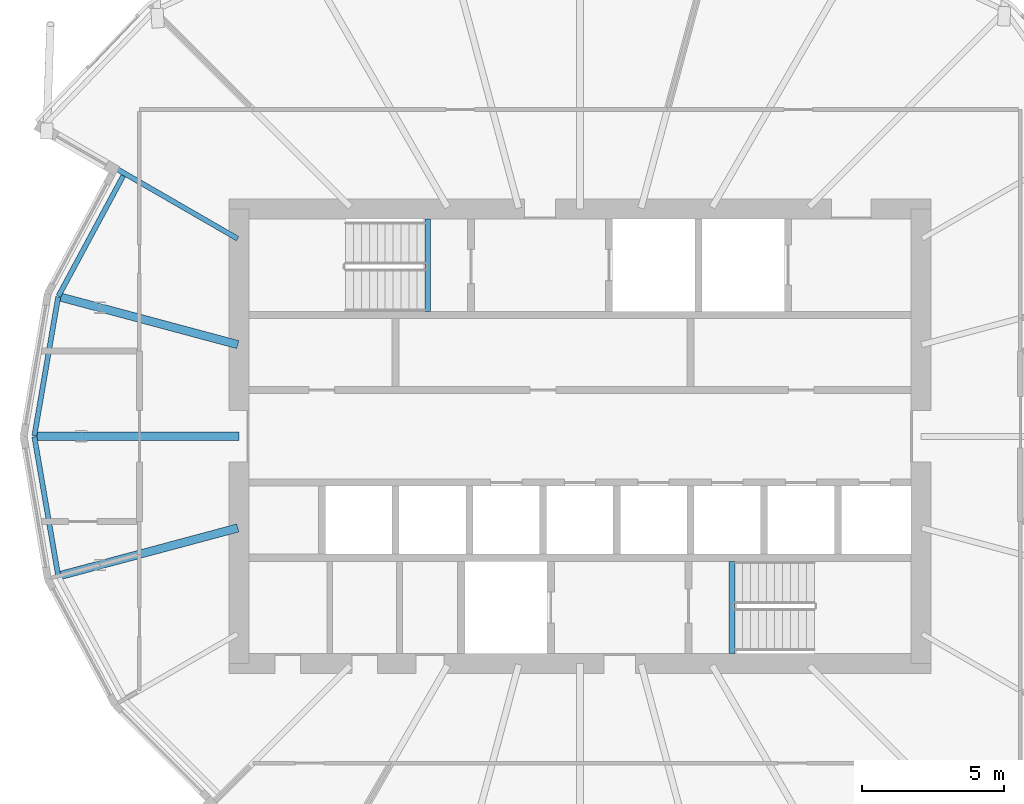
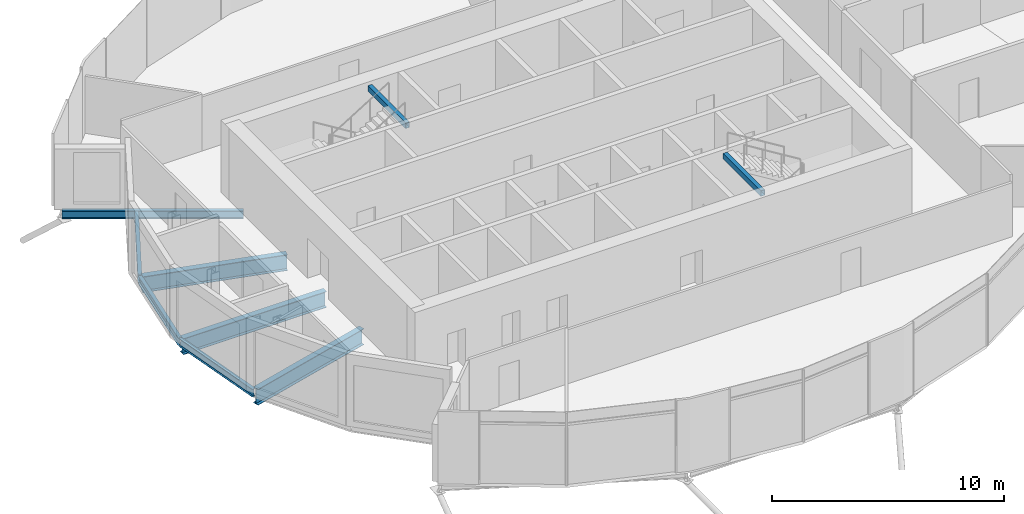
# One storey, part 5 of 39: 9 beams.
"""IFC4 building model written with IfcOpenShell, lengths in metres."""

from ifc_helpers import new_model, si_unit, direction, frame, origin, origin_2d, place, context, subcontext, project, spatial, hollow_rectangle, i_section, extrude, material, material_profile, profile_set, type_object, element, save


model = new_model("IFC4")

# Units and contexts
model_context = context("Model", 3, precision=1e-05, world=origin(), true_north=direction((0.0, 1.0)))
body_context = subcontext(model_context, "Body", "Model", "MODEL_VIEW")
ifc_project = project(units=[si_unit("LENGTHUNIT", "METRE"), si_unit("AREAUNIT", "SQUARE_METRE"), si_unit("VOLUMEUNIT", "CUBIC_METRE"), si_unit("PLANEANGLEUNIT", "RADIAN"), si_unit("MASSUNIT", "GRAM", prefix="KILO")], contexts=[model_context])

# Site, building, storey
site_placement = place(None, origin())
site = spatial("IfcSite", under=ifc_project, at=site_placement, CompositionType="ELEMENT")
building_placement = place(site_placement, origin())
building = spatial("IfcBuilding", under=site, at=building_placement, Name="Rimbun Link Towers", CompositionType="ELEMENT")
storey_placement = place(building_placement, frame((0.0, 0.0, 143.0)))
storey = spatial("IfcBuildingStorey", under=building, at=storey_placement, Name="L34", CompositionType="ELEMENT", Elevation=143.0)

# Beams
ifc_material_1 = material(Name="Steel S355J2", Category="steel")
ifc_material_profile_1 = material_profile(ifc_material_1, hollow_rectangle(XDim=0.199951171875, YDim=0.300048828125, WallThickness=0.011962890625, at=origin_2d()), Name="BOX 300x200x12")
ifc_profile_set_1 = profile_set([ifc_material_profile_1], Name="Steel S355J2")
beam_type_1 = type_object("IfcBeamType", Name="Stair trimmer beam BOX 300x200x12", PredefinedType="BEAM", material=ifc_profile_set_1)
for number, where, z_axis, x_axis, name in (
    (1, (-37.10009765625, 7.64990234375, 3.469970703125), (0.0, -1.0, 0.0), (1.0, 0.0, 0.0), "L34 ST1 stair beam 1"),
    (2, (-26.39990234375, -7.64990234375, 3.469970703125), (0.0, 1.0, 0.0), (-1.0, 0.0, 0.0), "L34 ST2 stair beam 1"),
):
    element("IfcBeam", number, at=place(storey_placement, frame(where, z_axis=z_axis, x_axis=x_axis)), inside=storey, type_object=beam_type_1, Name=name, PredefinedType="BEAM", context=body_context, shape_type="SweptSolid", body=[
        extrude(hollow_rectangle(XDim=0.199951171875, YDim=0.300048828125, WallThickness=0.011962890625, at=origin_2d()), origin(), (0.0, 0.0, 1.0), 3.25),
    ])
ifc_material_2 = material(Name="Steel S355J2", Category="steel")
ifc_material_profile_2 = material_profile(ifc_material_2, i_section(OverallWidth=0.177978515625, OverallDepth=0.406494140625, WebThickness=0.0078125, FlangeThickness=0.0126953125, at=origin_2d()), Name="UB 406x178x60")
ifc_profile_set_2 = profile_set([ifc_material_profile_2], Name="Steel S355J2")
beam_type_2 = type_object("IfcBeamType", Name="UB 406x178x60", PredefinedType="BEAM", material=ifc_profile_set_2)
beam_1_placement = place(storey_placement, frame((-43.79541015625, 6.954345703125, -0.38330078125), z_axis=(-0.866028250644, 0.499995069063, 0.0), x_axis=(-0.499995069063, -0.866028250644, 0.0)))
element("IfcBeam", 3, at=beam_1_placement, inside=storey, type_object=beam_type_2, Name="Radial beam T1 L34 10", PredefinedType="BEAM", context=body_context, shape_type="SweptSolid", body=[
    extrude(i_section(OverallWidth=0.177978515625, OverallDepth=0.406494140625, WebThickness=0.0078125, FlangeThickness=0.0126953125, at=origin_2d()), origin(), (0.0, 0.0, 1.0), 7.8037109375),
])
beam_2_placement = place(storey_placement, frame((-47.81884765625, 9.17041015625, -0.38330078125), z_axis=(-0.474036297712, -0.880505302909, 0.0), x_axis=(0.880505302909, -0.474036297712, 0.0)))
element("IfcBeam", 4, at=beam_2_placement, inside=storey, type_object=beam_type_2, Name="Edge beam T1 L34 10 recess", PredefinedType="BEAM", context=body_context, shape_type="SweptSolid", body=[
    extrude(i_section(OverallWidth=0.177978515625, OverallDepth=0.406494140625, WebThickness=0.0078125, FlangeThickness=0.0126953125, at=origin_2d()), origin(), (0.0, 0.0, 1.0), 4.81298828125),
])
for number, where, z_axis, x_axis, name in (
    (5, (-50.1103515625, 4.903564453125, -0.38330078125), (-0.168780690541, -0.985653630085, 0.0), (0.985653630085, -0.168780690541, 0.0), "Edge beam T1 L34 11 recess"),
    (6, (-50.947265625, -0.01611328125, -0.38330078125), (0.168780690541, -0.985653630085, 0.0), (0.985653630085, 0.168780690541, 0.0), "Edge beam T1 L34 12 recess"),
):
    element("IfcBeam", number, at=place(storey_placement, frame(where, z_axis=z_axis, x_axis=x_axis)), inside=storey, type_object=beam_type_2, Name=name, PredefinedType="BEAM", context=body_context, shape_type="SweptSolid", body=[
        extrude(i_section(OverallWidth=0.177978515625, OverallDepth=0.406494140625, WebThickness=0.0078125, FlangeThickness=0.0126953125, at=origin_2d()), origin(), (0.0, 0.0, 1.0), 4.95849609375),
    ])
ifc_material_3 = material(Name="Steel S355J2", Category="steel")
ifc_material_profile_3 = material_profile(ifc_material_3, i_section(OverallWidth=0.29248046875, OverallDepth=0.8408203125, WebThickness=0.0126953125, FlangeThickness=0.021728515625, at=origin_2d()), Name="UB 838x292x194")
ifc_profile_set_3 = profile_set([ifc_material_profile_3], Name="Steel S355J2")
beam_type_3 = type_object("IfcBeamType", Name="UB 838x292x194", PredefinedType="BEAM", material=ifc_profile_set_3)
beam_3_placement = place(storey_placement, frame((-43.788818359375, 3.225830078125, -0.600341796875), z_axis=(-0.96592964011, 0.258804811311, 0.0), x_axis=(-0.258804811311, -0.96592964011, 0.0)))
element("IfcBeam", 7, at=beam_3_placement, inside=storey, type_object=beam_type_3, Name="Radial beam T1 L34 11", PredefinedType="BEAM", context=body_context, shape_type="SweptSolid", body=[
    extrude(i_section(OverallWidth=0.29248046875, OverallDepth=0.8408203125, WebThickness=0.0126953125, FlangeThickness=0.021728515625, at=origin_2d()), origin(), (0.0, 0.0, 1.0), 6.451416015625),
])
beam_4_placement = place(storey_placement, frame((-43.7509765625, 0.0, -0.600341796875), z_axis=(-1.0, 0.0, 0.0), x_axis=(0.0, -1.0, 0.0)))
element("IfcBeam", 8, at=beam_4_placement, inside=storey, type_object=beam_type_3, Name="Radial beam T1 L34 12", PredefinedType="BEAM", context=body_context, shape_type="SweptSolid", body=[
    extrude(i_section(OverallWidth=0.29248046875, OverallDepth=0.8408203125, WebThickness=0.0126953125, FlangeThickness=0.021728515625, at=origin_2d()), origin(), (0.0, 0.0, 1.0), 7.109130859375),
])
beam_5_placement = place(storey_placement, frame((-43.788818359375, -3.225830078125, -0.600341796875), z_axis=(-0.96592964011, -0.258804811311, 0.0), x_axis=(0.258804811311, -0.96592964011, 0.0)))
element("IfcBeam", 9, at=beam_5_placement, inside=storey, type_object=beam_type_3, Name="Radial beam T1 L34 13", PredefinedType="BEAM", context=body_context, shape_type="SweptSolid", body=[
    extrude(i_section(OverallWidth=0.29248046875, OverallDepth=0.8408203125, WebThickness=0.0126953125, FlangeThickness=0.021728515625, at=origin_2d()), origin(), (0.0, 0.0, 1.0), 6.451416015625),
])

save(model, "model.ifc")
